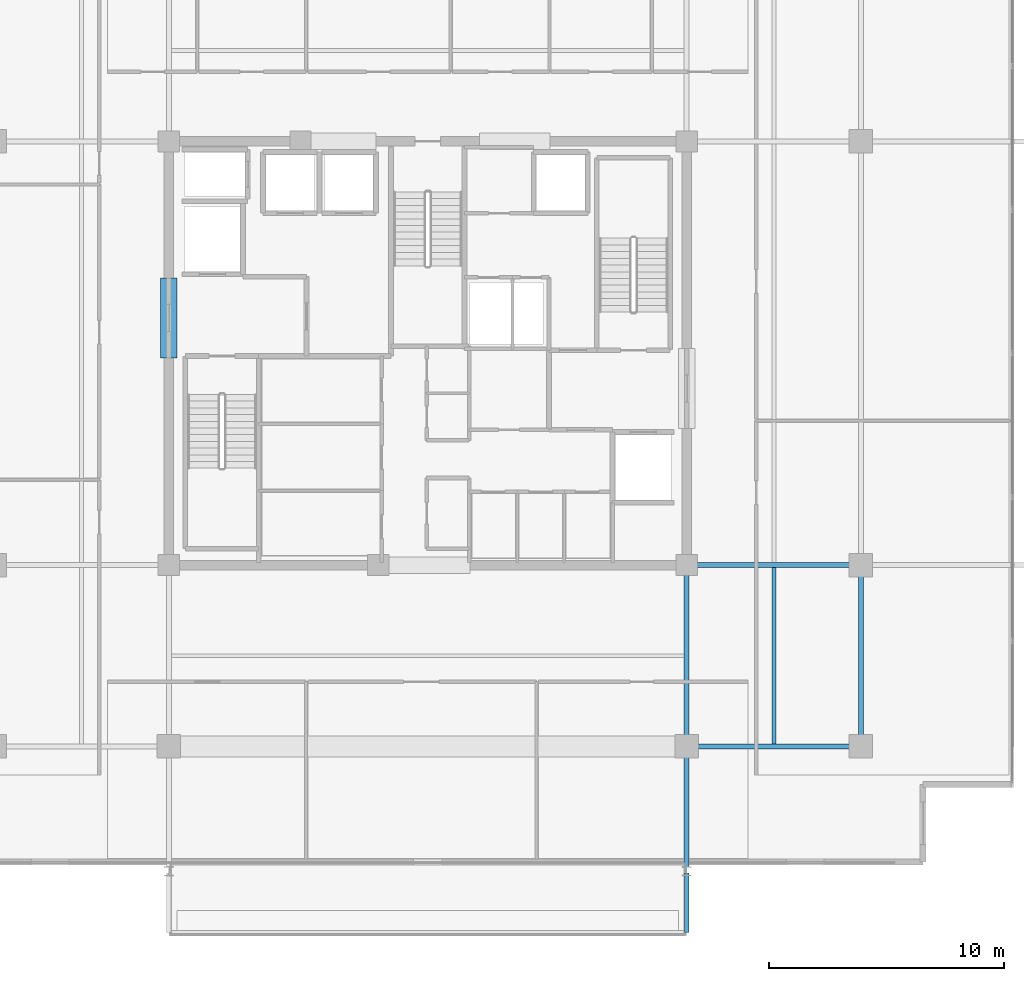
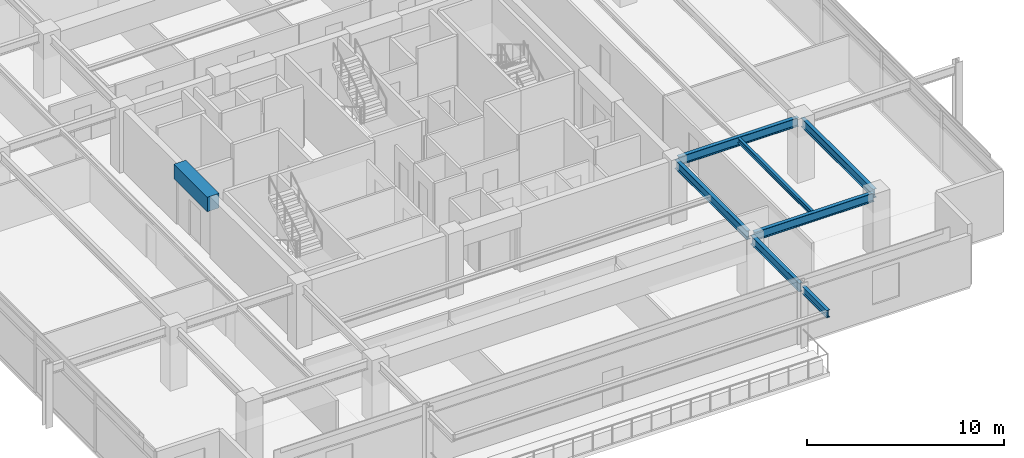
# One storey, part 5 of 20: 8 beams.
"""IFC4 building model written with IfcOpenShell, lengths in metres."""

from ifc_helpers import new_model, si_unit, direction, frame, origin, origin_2d, place, context, subcontext, project, spatial, rectangle, i_section, extrude, material, material_profile, profile_set, type_object, element, save


model = new_model("IFC4")

# Units and contexts
model_context = context("Model", 3, precision=1e-05, world=origin(), true_north=direction((0.0, 1.0)))
body_context = subcontext(model_context, "Body", "Model", "MODEL_VIEW")
ifc_project = project(units=[si_unit("LENGTHUNIT", "METRE"), si_unit("AREAUNIT", "SQUARE_METRE"), si_unit("VOLUMEUNIT", "CUBIC_METRE"), si_unit("PLANEANGLEUNIT", "RADIAN"), si_unit("MASSUNIT", "GRAM", prefix="KILO")], contexts=[model_context])

# Site, building, storey
site_placement = place(None, origin())
site = spatial("IfcSite", under=ifc_project, at=site_placement, CompositionType="ELEMENT")
building_placement = place(site_placement, origin())
building = spatial("IfcBuilding", under=site, at=building_placement, Name="Kovane Verandah Tower", CompositionType="ELEMENT")
storey_placement = place(building_placement, frame((0.0, 0.0, 318.800048828125)))
storey = spatial("IfcBuildingStorey", under=building, at=storey_placement, Name="L74", CompositionType="ELEMENT", Elevation=318.800048828125)

# Beams
ifc_material_1 = material(Name="Concrete C60/75", Category="concrete")
ifc_material_profile_1 = material_profile(ifc_material_1, rectangle(XDim=0.699951171875, YDim=0.89990234375, at=origin_2d()), Name="RCB700x900")
ifc_profile_set_1 = profile_set([ifc_material_profile_1], Name="Concrete C60/75")
beam_type_1 = type_object("IfcBeamType", Name="BM-LINTEL-700x900", PredefinedType="LINTEL", material=ifc_profile_set_1)
beam_1_placement = place(storey_placement, frame((29.0, 27.300048828125, 3.3349609375), z_axis=(0.0, 1.0, 0.0), x_axis=(-1.0, 0.0, 0.0)))
element("IfcBeam", 1, at=beam_1_placement, inside=storey, type_object=beam_type_1, Name="L74 Core Coupling Lintel CL-W", PredefinedType="LINTEL", context=body_context, shape_type="SweptSolid", body=[
    extrude(rectangle(XDim=0.699951171875, YDim=0.89990234375, at=origin_2d()), origin(), (0.0, 0.0, 1.0), 3.39990234375),
])
ifc_material_2 = material(Name="Steel S355", Category="steel")
ifc_material_profile_2 = material_profile(ifc_material_2, i_section(OverallWidth=0.2119140625, OverallDepth=0.54443359375, WebThickness=0.0126953125, FlangeThickness=0.021240234375, FilletRadius=0.0126953125, at=origin_2d()), Name="UB533x210x122")
ifc_profile_set_2 = profile_set([ifc_material_profile_2], Name="Steel S355")
beam_type_2 = type_object("IfcBeamType", Name="BM-UB533x122", PredefinedType="BEAM", material=ifc_profile_set_2)
beam_2_placement = place(storey_placement, frame((51.179931640625, 10.800048828125, 3.5126953125), z_axis=(1.0, 0.0, 0.0), x_axis=(0.0, 1.0, 0.0)))
element("IfcBeam", 2, at=beam_2_placement, inside=storey, type_object=beam_type_2, Name="L74 Primary Tower Girder G-RS3", PredefinedType="BEAM", context=body_context, shape_type="SweptSolid", body=[
    extrude(i_section(OverallWidth=0.2119140625, OverallDepth=0.54443359375, WebThickness=0.0126953125, FlangeThickness=0.021240234375, FilletRadius=0.0126953125, at=origin_2d()), origin(), (0.0, 0.0, 1.0), 7.0400390625),
])
beam_3_placement = place(storey_placement, frame((58.39990234375, 10.97998046875, 3.5126953125), z_axis=(0.0, 1.0, 0.0), x_axis=(-1.0, 0.0, 0.0)))
element("IfcBeam", 3, at=beam_3_placement, inside=storey, type_object=beam_type_2, Name="L74 Primary Tower Girder G-RE1", PredefinedType="BEAM", context=body_context, shape_type="SweptSolid", body=[
    extrude(i_section(OverallWidth=0.2119140625, OverallDepth=0.54443359375, WebThickness=0.0126953125, FlangeThickness=0.021240234375, FilletRadius=0.0126953125, at=origin_2d()), origin(), (0.0, 0.0, 1.0), 7.340087890625),
])
beam_4_placement = place(storey_placement, frame((51.179931640625, 18.5, 3.5126953125), z_axis=(1.0, 0.0, 0.0), x_axis=(0.0, 1.0, 0.0)))
element("IfcBeam", 4, at=beam_4_placement, inside=storey, type_object=beam_type_2, Name="L74 Primary Tower Girder G-E1", PredefinedType="BEAM", context=body_context, shape_type="SweptSolid", body=[
    extrude(i_section(OverallWidth=0.2119140625, OverallDepth=0.54443359375, WebThickness=0.0126953125, FlangeThickness=0.021240234375, FilletRadius=0.0126953125, at=origin_2d()), origin(), (0.0, 0.0, 1.0), 7.0400390625),
])
beam_5_placement = place(storey_placement, frame((51.0, 18.320068359375, 3.5126953125), z_axis=(0.0, -1.0, 0.0), x_axis=(1.0, 0.0, 0.0)))
element("IfcBeam", 5, at=beam_5_placement, inside=storey, type_object=beam_type_2, Name="L74 Primary Tower Girder G-S2", PredefinedType="BEAM", context=body_context, shape_type="SweptSolid", body=[
    extrude(i_section(OverallWidth=0.2119140625, OverallDepth=0.54443359375, WebThickness=0.0126953125, FlangeThickness=0.021240234375, FilletRadius=0.0126953125, at=origin_2d()), origin(), (0.0, 0.0, 1.0), 7.340087890625),
])
beam_6_placement = place(storey_placement, frame((51.0, 10.6201171875, 3.48779296875), z_axis=(0.0, -1.0, 0.0), x_axis=(1.0, 0.0, 0.0)))
element("IfcBeam", 6, at=beam_6_placement, inside=storey, type_object=beam_type_2, Name="L74 Primary Tower Girder G-VS2", PredefinedType="BEAM", context=body_context, shape_type="SweptSolid", body=[
    extrude(i_section(OverallWidth=0.2119140625, OverallDepth=0.54443359375, WebThickness=0.0126953125, FlangeThickness=0.021240234375, FilletRadius=0.0126953125, at=origin_2d()), origin(), (0.0, 0.0, 1.0), 4.940185546875),
])
ifc_material_profile_3 = material_profile(ifc_material_2, i_section(OverallWidth=0.1669921875, OverallDepth=0.310302734375, WebThickness=0.0078125, FlangeThickness=0.013671875, FilletRadius=0.0087890625, at=origin_2d()), Name="UB305x165x54")
ifc_profile_set_3 = profile_set([ifc_material_profile_3], Name="Steel S355")
beam_type_3 = type_object("IfcBeamType", Name="JST-UB305x54", PredefinedType="JOIST", material=ifc_profile_set_3)
beam_7_placement = place(storey_placement, frame((54.699951171875, 10.904052734375, 3.629638671875), z_axis=(0.0, 1.0, 0.0), x_axis=(-1.0, 0.0, 0.0)))
element("IfcBeam", 7, at=beam_7_placement, inside=storey, type_object=beam_type_3, Name="L74 Secondary Composite Joist J-SE1", PredefinedType="JOIST", context=body_context, shape_type="SweptSolid", body=[
    extrude(i_section(OverallWidth=0.1669921875, OverallDepth=0.310302734375, WebThickness=0.0078125, FlangeThickness=0.013671875, FilletRadius=0.0087890625, at=origin_2d()), origin(), (0.0, 0.0, 1.0), 7.491943359375),
])
ifc_material_profile_4 = material_profile(ifc_material_2, i_section(OverallWidth=0.19287109375, OverallDepth=0.46728515625, WebThickness=0.011474609375, FlangeThickness=0.01953125, FilletRadius=0.01025390625, at=origin_2d()), Name="UB457x191x98")
ifc_profile_set_4 = profile_set([ifc_material_profile_4], Name="Steel S355")
beam_type_4 = type_object("IfcBeamType", Name="JST-UB457x98", PredefinedType="JOIST", material=ifc_profile_set_4)
beam_8_placement = place(storey_placement, frame((51.0, 5.419921875, 3.5263671875), z_axis=(0.0, -1.0, 0.0), x_axis=(1.0, 0.0, 0.0)))
element("IfcBeam", 8, at=beam_8_placement, inside=storey, type_object=beam_type_4, Name="L74 South Planter Girder 2", PredefinedType="JOIST", context=body_context, shape_type="SweptSolid", body=[
    extrude(i_section(OverallWidth=0.19287109375, OverallDepth=0.46728515625, WebThickness=0.011474609375, FlangeThickness=0.01953125, FilletRadius=0.01025390625, at=origin_2d()), origin(), (0.0, 0.0, 1.0), 2.52001953125),
])

save(model, "model.ifc")
